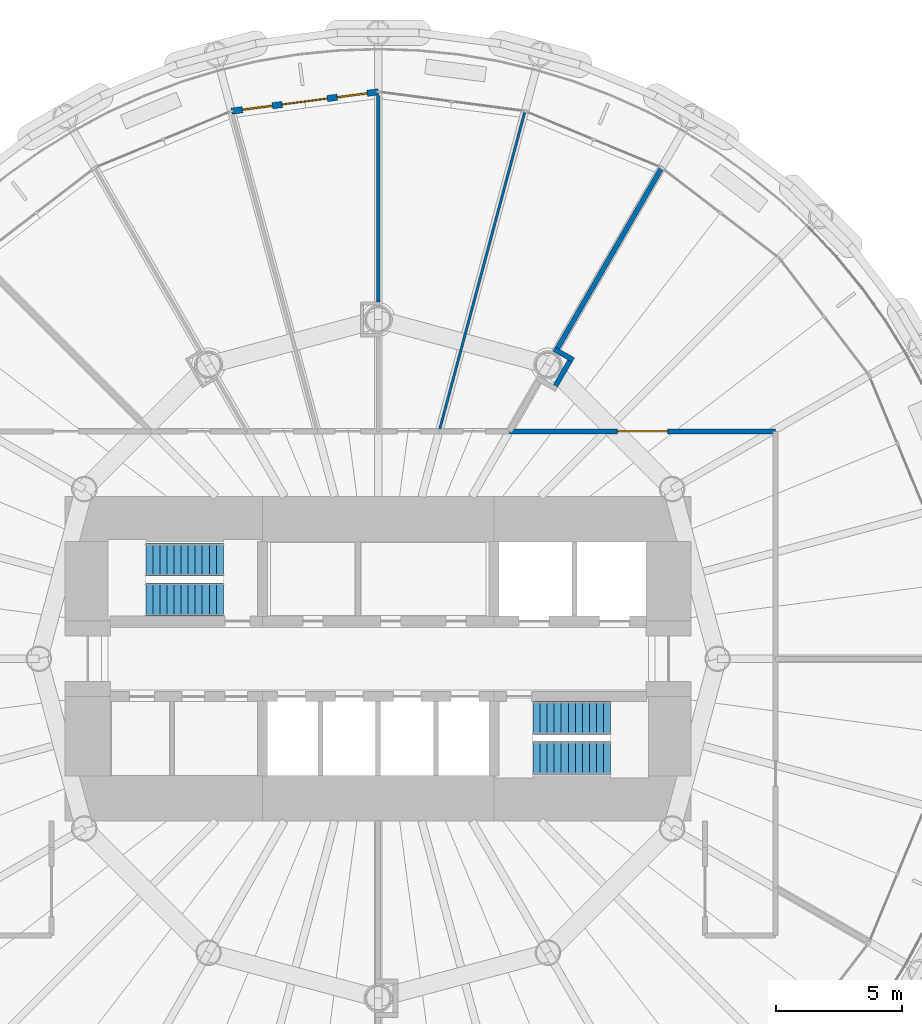
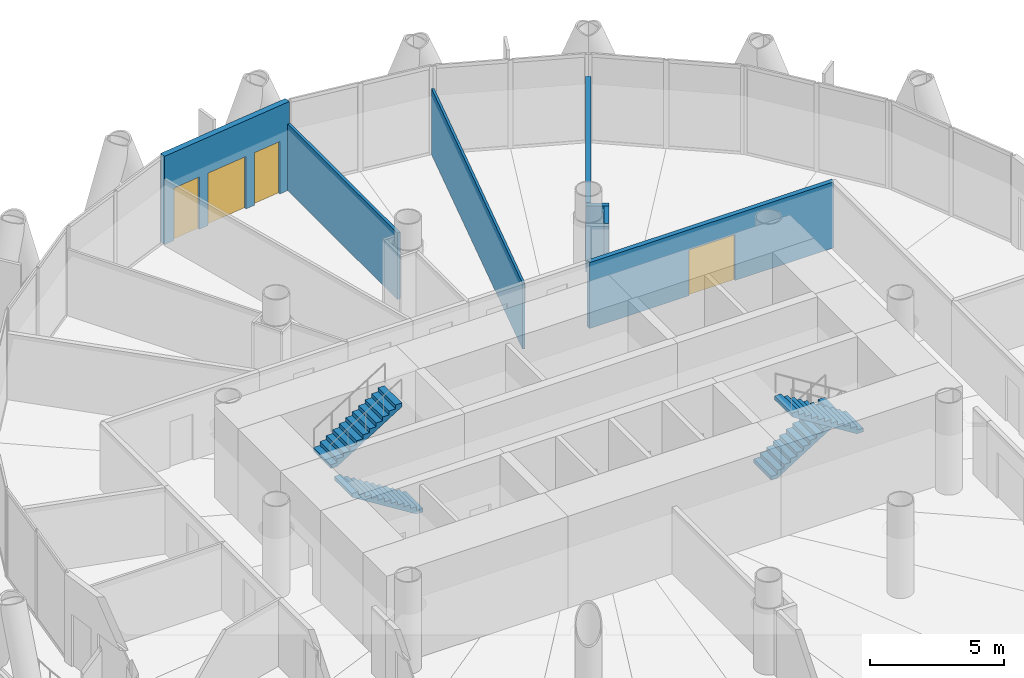
# One storey, part 12 of 16: 7 walls, 4 stair flights, 2 doors, 2 windows, 4 openings, 2 elements without a shape of their own.
"""IFC4 building model written with IfcOpenShell, lengths in metres."""

from ifc_helpers import new_model, si_unit, direction, frame, frame_2d, origin, place, context, subcontext, project, spatial, polyline, rectangle, outline, extrude, material, layer, layer_set, type_object, element, fill, aggregate, save


model = new_model("IFC4")

# Units and contexts
model_context = context("Model", 3, precision=1e-05, world=origin(), true_north=direction((0.0, 1.0)))
body_context = subcontext(model_context, "Body", "Model", "MODEL_VIEW")
ifc_project = project(units=[si_unit("LENGTHUNIT", "METRE"), si_unit("AREAUNIT", "SQUARE_METRE"), si_unit("VOLUMEUNIT", "CUBIC_METRE"), si_unit("PLANEANGLEUNIT", "RADIAN"), si_unit("MASSUNIT", "GRAM", prefix="KILO")], contexts=[model_context])

# Site, building, storey
site_placement = place(None, origin())
site = spatial("IfcSite", under=ifc_project, at=site_placement, CompositionType="ELEMENT")
building_placement = place(site_placement, origin())
building = spatial("IfcBuilding", under=site, at=building_placement, Name="Qaws Media Tower", CompositionType="ELEMENT")
storey_placement = place(building_placement, frame((0.0, 0.0, 139.39990234375)))
storey = spatial("IfcBuildingStorey", under=building, at=storey_placement, Name="L31", CompositionType="ELEMENT", Elevation=139.39990234375)

# Wall, openings, door, windows
ifc_material_1 = material(Name="Precast concrete, exposed finish", Category="concrete")
ifc_layer_1 = layer(ifc_material_1, 0.25)
ifc_layer_set_1 = layer_set([ifc_layer_1], Name="Balcony door wall 250")
wall_type_1 = type_object("IfcWallType", Name="Balcony door wall 250", PredefinedType="SOLIDWALL", material=ifc_layer_set_1)
wall_1_placement = place(storey_placement, frame((60.0, 72.550048828125, 0.0), z_axis=(0.0, 0.0, 1.0), x_axis=(-0.991446388783, -0.130514589873, 0.0)))
wall_1 = element("IfcWall", 1, at=wall_1_placement, inside=storey, type_object=wall_type_1, Name="W192 EW1 balcony door wall L31-07", PredefinedType="SOLIDWALL", context=body_context, shape_type="SweptSolid", body=[
    extrude(rectangle(XDim=5.88671875, YDim=0.25, at=frame_2d((2.943359375, 0.0))), origin(), (0.0, 0.0, 1.0), 4.0400390625),
])
opening_1_placement = place(wall_1_placement, frame((2.04345703125, 0.0, 0.0)))
opening_1 = element("IfcOpeningElement", 2, at=opening_1_placement, cuts=wall_1, Name="Opening D7", PredefinedType="OPENING", context=body_context, shape_type="SweptSolid", body=[
    extrude(rectangle(XDim=1.800048828125, YDim=2.39990234375, at=frame_2d((0.89990234375, 1.199951171875))), frame((0.0, 0.135009765625, 0.0), z_axis=(0.0, -1.0, 0.0), x_axis=(1.0, 0.0, 0.0)), (0.0, 0.0, 1.0), 0.27001953125),
])
opening_2_placement = place(wall_1_placement, frame((0.443359375, 0.0, 0.0)))
opening_2 = element("IfcOpeningElement", 3, at=opening_2_placement, cuts=wall_1, Name="Opening W1", PredefinedType="OPENING", context=body_context, shape_type="SweptSolid", body=[
    extrude(rectangle(XDim=1.199951171875, YDim=2.39990234375, at=frame_2d((0.60009765625, 1.199951171875))), frame((0.0, 0.135009765625, 0.0), z_axis=(0.0, -1.0, 0.0), x_axis=(1.0, 0.0, 0.0)), (0.0, 0.0, 1.0), 0.27001953125),
])
opening_3_placement = place(wall_1_placement, frame((4.243408203125, 0.0, 0.0)))
opening_3 = element("IfcOpeningElement", 4, at=opening_3_placement, cuts=wall_1, Name="Opening W1", PredefinedType="OPENING", context=body_context, shape_type="SweptSolid", body=[
    extrude(rectangle(XDim=1.199951171875, YDim=2.39990234375, at=frame_2d((0.60009765625, 1.199951171875))), frame((0.0, 0.135009765625, 0.0), z_axis=(0.0, -1.0, 0.0), x_axis=(1.0, 0.0, 0.0)), (0.0, 0.0, 1.0), 0.27001953125),
])
ifc_material_2 = material(Name="Aluminium and clear glass", Category="aluminium")
door_type_1 = type_object("IfcDoorType", Name="Balcony door pair 1800", OperationType="DOUBLE_DOOR_SLIDING", PredefinedType="DOOR", material=ifc_material_2)
door_1_placement = place(opening_1_placement, origin())
door_1 = element("IfcDoor", 5, at=door_1_placement, inside=storey, type_object=door_type_1, Name="D7 balcony door L31-07 in wall W192", OperationType="DOUBLE_DOOR_SLIDING", OverallHeight=2.39990234375, OverallWidth=1.800048828125, PredefinedType="DOOR", context=body_context, shape_type="SweptSolid", body=[
    extrude(rectangle(XDim=1.800048828125, YDim=2.39990234375, at=frame_2d((0.89990234375, 1.199951171875))), frame((0.0, 0.02490234375, 0.0), z_axis=(0.0, -1.0, 0.0), x_axis=(1.0, 0.0, 0.0)), (0.0, 0.0, 1.0), 0.050048828125),
])
fill(opening_1, door_1)
ifc_material_3 = material(Name="Aluminium and clear glass", Category="aluminium")
window_type = type_object("IfcWindowType", Name="Balcony side window 1200", PartitioningType="SINGLE_PANEL", PredefinedType="WINDOW", material=ifc_material_3)
window_1_placement = place(opening_2_placement, origin())
window_1 = element("IfcWindow", 6, at=window_1_placement, inside=storey, type_object=window_type, Name="W1 balcony side light L31-07L", OverallHeight=2.39990234375, OverallWidth=1.199951171875, PartitioningType="SINGLE_PANEL", PredefinedType="WINDOW", context=body_context, shape_type="SweptSolid", body=[
    extrude(rectangle(XDim=1.199951171875, YDim=2.39990234375, at=frame_2d((0.60009765625, 1.199951171875))), frame((0.0, 0.030029296875, 0.0), z_axis=(0.0, -1.0, 0.0), x_axis=(1.0, 0.0, 0.0)), (0.0, 0.0, 1.0), 0.06005859375),
])
fill(opening_2, window_1)
window_2_placement = place(opening_3_placement, origin())
window_2 = element("IfcWindow", 7, at=window_2_placement, inside=storey, type_object=window_type, Name="W1 balcony side light L31-07R", OverallHeight=2.39990234375, OverallWidth=1.199951171875, PartitioningType="SINGLE_PANEL", PredefinedType="WINDOW", context=body_context, shape_type="SweptSolid", body=[
    extrude(rectangle(XDim=1.199951171875, YDim=2.39990234375, at=frame_2d((0.60009765625, 1.199951171875))), frame((0.0, 0.030029296875, 0.0), z_axis=(0.0, -1.0, 0.0), x_axis=(1.0, 0.0, 0.0)), (0.0, 0.0, 1.0), 0.06005859375),
])
fill(opening_3, window_2)

# Walls
ifc_material_4 = material(Name="Two layers gypsum board each side on 75 studs, insulated", Category="gypsum")
ifc_layer_2 = layer(ifc_material_4, 0.125)
ifc_layer_set_2 = layer_set([ifc_layer_2], Name="Meeting room partition 125 Rw 48")
wall_type_2 = type_object("IfcWallType", Name="Meeting room partition 125 Rw 48", PredefinedType="PARTITIONING", material=ifc_layer_set_2)
wall_2_placement = place(storey_placement, frame((60.0, 64.193115234375, 0.0), z_axis=(0.0, 0.0, 1.0), x_axis=(0.0, 1.0, 0.0)))
element("IfcWall", 8, at=wall_2_placement, inside=storey, type_object=wall_type_2, Name="W557 IW5 partition L31", PredefinedType="PARTITIONING", context=body_context, shape_type="SweptSolid", body=[
    extrude(rectangle(XDim=8.216796875, YDim=0.125, at=frame_2d((4.1083984375, 0.0))), origin(), (0.0, 0.0, 1.0), 3.0400390625),
])
ifc_material_5 = material(Name="Gypsum board on 70 metal studs, single layer each side", Category="gypsum")
ifc_layer_3 = layer(ifc_material_5, 0.10009765625)
ifc_layer_set_3 = layer_set([ifc_layer_3], Name="Office stud partition 100")
wall_type_3 = type_object("IfcWallType", Name="Office stud partition 100", PredefinedType="PARTITIONING", material=ifc_layer_set_3)
wall_3_placement = place(storey_placement, frame((62.422607421875, 59.041015625, 0.0), z_axis=(0.0, 0.0, 1.0), x_axis=(0.258808779335, 0.965928576935, 0.0)))
element("IfcWall", 9, at=wall_3_placement, inside=storey, type_object=wall_type_3, Name="W679 IW4 partition L31", PredefinedType="PARTITIONING", context=body_context, shape_type="SweptSolid", body=[
    extrude(rectangle(XDim=13.14990234375, YDim=0.10009765625, at=frame_2d((6.574951171875, 0.0))), origin(), (0.0, 0.0, 1.0), 3.02001953125),
])

# Wall, opening, door
ifc_material_6 = material(Name="Gypsum board on galvanised metal studs, acoustic double stud, deflection head", Category="gypsum")
ifc_layer_4 = layer(ifc_material_6, 0.199951171875)
ifc_layer_set_4 = layer_set([ifc_layer_4], Name="Room partition 200")
wall_type_4 = type_object("IfcWallType", Name="Room partition 200", PredefinedType="PARTITIONING", material=ifc_layer_set_4)
wall_4_placement = place(storey_placement, frame((65.22509765625, 59.050048828125, 0.0), z_axis=(0.0, 0.0, 1.0), x_axis=(1.0, 0.0, 0.0)))
wall_4 = element("IfcWall", 10, at=wall_4_placement, inside=storey, type_object=wall_type_4, Name="W1293 IW3 partition L31", PredefinedType="PARTITIONING", context=body_context, shape_type="SweptSolid", body=[
    extrude(rectangle(XDim=10.574951171875, YDim=0.199951171875, at=frame_2d((5.28759765625, 0.0))), origin(), (0.0, 0.0, 1.0), 3.02001953125),
])
opening_4_placement = place(wall_4_placement, frame((4.28759765625, 0.0, 0.0)))
opening_4 = element("IfcOpeningElement", 11, at=opening_4_placement, cuts=wall_4, Name="Opening D6", PredefinedType="OPENING", context=body_context, shape_type="SweptSolid", body=[
    extrude(rectangle(XDim=2.0, YDim=2.10009765625, at=frame_2d((1.0, 1.050048828125))), frame((0.0, 0.10986328125, 0.0), z_axis=(0.0, -1.0, 0.0), x_axis=(1.0, 0.0, 0.0)), (0.0, 0.0, 1.0), 0.219970703125),
])
ifc_material_7 = material(Name="Steel, acoustic, fire rated", Category="steel")
door_type_2 = type_object("IfcDoorType", Name="Room door pair 2000", OperationType="DOUBLE_DOOR_DOUBLE_SWING", PredefinedType="DOOR", material=ifc_material_7)
door_2_placement = place(opening_4_placement, origin())
door_2 = element("IfcDoor", 12, at=door_2_placement, inside=storey, type_object=door_type_2, Name="D6 Paralegal office door L31 in wall W1293", OperationType="DOUBLE_DOOR_DOUBLE_SWING", OverallHeight=2.10009765625, OverallWidth=2.0, PredefinedType="DOOR", context=body_context, shape_type="SweptSolid", body=[
    extrude(rectangle(XDim=2.0, YDim=2.10009765625, at=frame_2d((1.0, 1.050048828125))), frame((0.0, 0.02490234375, 0.0), z_axis=(0.0, -1.0, 0.0), x_axis=(1.0, 0.0, 0.0)), (0.0, 0.0, 1.0), 0.050048828125),
])
fill(opening_4, door_2)

# Walls
wall_5_placement = place(storey_placement, frame((66.997314453125, 62.31982421875, 0.0), z_axis=(0.0, 0.0, 1.0), x_axis=(0.86607910459, -0.49990697594, 0.0)))
element("IfcWall", 13, at=wall_5_placement, inside=storey, type_object=wall_type_4, Name="W1295 IW3 partition return L31", PredefinedType="PARTITIONING", context=body_context, shape_type="SweptSolid", body=[
    extrude(rectangle(XDim=0.878173828125, YDim=0.199951171875, at=frame_2d((0.43896484375, 0.0))), origin(), (0.0, 0.0, 1.0), 3.02001953125),
])
wall_6_placement = place(storey_placement, frame((67.05322265625, 60.8603515625, 0.0), z_axis=(0.0, 0.0, 1.0), x_axis=(0.499883687939, 0.866092546171, 0.0)))
element("IfcWall", 14, at=wall_6_placement, inside=storey, type_object=wall_type_4, Name="W1296 IW3 partition return L31", PredefinedType="PARTITIONING", context=body_context, shape_type="SweptSolid", body=[
    extrude(rectangle(XDim=1.135986328125, YDim=0.199951171875, at=frame_2d((0.56787109375, 0.0))), origin(), (0.0, 0.0, 1.0), 3.02001953125),
])
wall_7_placement = place(storey_placement, frame((67.134033203125, 62.3564453125, 0.0), z_axis=(0.0, 0.0, 1.0), x_axis=(0.499990836312, 0.866030694378, 0.0)))
element("IfcWall", 15, at=wall_7_placement, inside=storey, type_object=wall_type_4, Name="W1304 IW3 partition L31", PredefinedType="PARTITIONING", context=body_context, shape_type="SweptSolid", body=[
    extrude(rectangle(XDim=8.241943359375, YDim=0.199951171875, at=frame_2d((4.12109375, 0.0))), origin(), (0.0, 0.0, 1.0), 3.0400390625),
])

# Stair, stair flights
ifc_material_8 = material(Name="Concrete C40/50", Category="concrete")
stair_type = type_object("IfcStairType", Name="Exit stair", PredefinedType="HALF_TURN_STAIR", material=ifc_material_8)
stair_1_placement = place(storey_placement, origin())
stair_1 = element("IfcStair", 16, at=stair_1_placement, inside=storey, type_object=stair_type, Name="S1 exit stair L31", PredefinedType="HALF_TURN_STAIR")
ifc_material_9 = material(Name="Concrete C40/50", Category="concrete")
stair_flight_type = type_object("IfcStairFlightType", Name="Stair flight 1310", PredefinedType="STRAIGHT", material=ifc_material_9)
stair_flight_1_placement = place(storey_placement, frame((53.840087890625, 52.35498046875, 0.0), z_axis=(0.0, 0.0, 1.0), x_axis=(-1.0, 0.0, 0.0)))
stair_flight_1 = element("IfcStairFlight", 17, at=stair_flight_1_placement, type_object=stair_flight_type, Name="S1 flight 1", NumberOfRisers=12, NumberOfTreads=11, PredefinedType="STRAIGHT", RiserHeight=0.175, TreadLength=0.28, context=body_context, shape_type="SweptSolid", body=[
    extrude(outline(polyline([(0.0, 0.0), (0.0, 0.175048828125), (0.280029296875, 0.175048828125), (0.280029296875, 0.35009765625), (0.56005859375, 0.35009765625), (0.56005859375, 0.52490234375), (0.840087890625, 0.52490234375), (0.840087890625, 0.699951171875), (1.1201171875, 0.699951171875), (1.1201171875, 0.875), (1.39990234375, 0.875), (1.39990234375, 1.050048828125), (1.679931640625, 1.050048828125), (1.679931640625, 1.22509765625), (1.9599609375, 1.22509765625), (1.9599609375, 1.39990234375), (2.239990234375, 1.39990234375), (2.239990234375, 1.574951171875), (2.52001953125, 1.574951171875), (2.52001953125, 1.75), (2.800048828125, 1.75), (2.800048828125, 1.925048828125), (3.080078125, 1.925048828125), (3.080078125, 2.10009765625), (3.080078125, 1.748291015625), (0.28271484375, 0.0), (0.0, 0.0)])), frame((0.0, 0.655029296875, 0.0), z_axis=(0.0, -1.0, 0.0), x_axis=(1.0, 0.0, 0.0)), (0.0, 0.0, 1.0), 1.31005859375),
])
stair_flight_2_placement = place(storey_placement, frame((50.760009765625, 53.945068359375, 2.10009765625), z_axis=(0.0, 0.0, 1.0), x_axis=(1.0, 0.0, 0.0)))
stair_flight_2 = element("IfcStairFlight", 18, at=stair_flight_2_placement, type_object=stair_flight_type, Name="S1 flight 2", NumberOfRisers=12, NumberOfTreads=11, PredefinedType="STRAIGHT", RiserHeight=0.175, TreadLength=0.28, context=body_context, shape_type="SweptSolid", body=[
    extrude(outline(polyline([(0.0, 0.0), (0.0, 0.175048828125), (0.280029296875, 0.175048828125), (0.280029296875, 0.35009765625), (0.56005859375, 0.35009765625), (0.56005859375, 0.52490234375), (0.840087890625, 0.52490234375), (0.840087890625, 0.699951171875), (1.1201171875, 0.699951171875), (1.1201171875, 0.875), (1.39990234375, 0.875), (1.39990234375, 1.050048828125), (1.679931640625, 1.050048828125), (1.679931640625, 1.22509765625), (1.9599609375, 1.22509765625), (1.9599609375, 1.39990234375), (2.239990234375, 1.39990234375), (2.239990234375, 1.574951171875), (2.52001953125, 1.574951171875), (2.52001953125, 1.75), (2.800048828125, 1.75), (2.800048828125, 1.925048828125), (3.080078125, 1.925048828125), (3.080078125, 2.10009765625), (3.080078125, 1.748291015625), (0.28271484375, 0.0), (0.0, 0.0)])), frame((0.0, 0.655029296875, 0.0), z_axis=(0.0, -1.0, 0.0), x_axis=(1.0, 0.0, 0.0)), (0.0, 0.0, 1.0), 1.31005859375),
])
aggregate(stair_1, [stair_flight_1, stair_flight_2])

stair_2_placement = place(storey_placement, origin())
stair_2 = element("IfcStair", 19, at=stair_2_placement, inside=storey, type_object=stair_type, Name="S2 exit stair L31", PredefinedType="HALF_TURN_STAIR")
stair_flight_3_placement = place(storey_placement, frame((66.159912109375, 47.64501953125, 0.0), z_axis=(0.0, 0.0, 1.0), x_axis=(1.0, 0.0, 0.0)))
stair_flight_3 = element("IfcStairFlight", 20, at=stair_flight_3_placement, type_object=stair_flight_type, Name="S2 flight 1", NumberOfRisers=12, NumberOfTreads=11, PredefinedType="STRAIGHT", RiserHeight=0.175, TreadLength=0.28, context=body_context, shape_type="SweptSolid", body=[
    extrude(outline(polyline([(0.0, 0.0), (0.0, 0.175048828125), (0.280029296875, 0.175048828125), (0.280029296875, 0.35009765625), (0.56005859375, 0.35009765625), (0.56005859375, 0.52490234375), (0.840087890625, 0.52490234375), (0.840087890625, 0.699951171875), (1.1201171875, 0.699951171875), (1.1201171875, 0.875), (1.39990234375, 0.875), (1.39990234375, 1.050048828125), (1.679931640625, 1.050048828125), (1.679931640625, 1.22509765625), (1.9599609375, 1.22509765625), (1.9599609375, 1.39990234375), (2.239990234375, 1.39990234375), (2.239990234375, 1.574951171875), (2.52001953125, 1.574951171875), (2.52001953125, 1.75), (2.800048828125, 1.75), (2.800048828125, 1.925048828125), (3.080078125, 1.925048828125), (3.080078125, 2.10009765625), (3.080078125, 1.748291015625), (0.28271484375, 0.0), (0.0, 0.0)])), frame((0.0, 0.655029296875, 0.0), z_axis=(0.0, -1.0, 0.0), x_axis=(1.0, 0.0, 0.0)), (0.0, 0.0, 1.0), 1.31005859375),
])
stair_flight_4_placement = place(storey_placement, frame((69.239990234375, 46.054931640625, 2.10009765625), z_axis=(0.0, 0.0, 1.0), x_axis=(-1.0, 0.0, 0.0)))
stair_flight_4 = element("IfcStairFlight", 21, at=stair_flight_4_placement, type_object=stair_flight_type, Name="S2 flight 2", NumberOfRisers=12, NumberOfTreads=11, PredefinedType="STRAIGHT", RiserHeight=0.175, TreadLength=0.28, context=body_context, shape_type="SweptSolid", body=[
    extrude(outline(polyline([(0.0, 0.0), (0.0, 0.175048828125), (0.280029296875, 0.175048828125), (0.280029296875, 0.35009765625), (0.56005859375, 0.35009765625), (0.56005859375, 0.52490234375), (0.840087890625, 0.52490234375), (0.840087890625, 0.699951171875), (1.1201171875, 0.699951171875), (1.1201171875, 0.875), (1.39990234375, 0.875), (1.39990234375, 1.050048828125), (1.679931640625, 1.050048828125), (1.679931640625, 1.22509765625), (1.9599609375, 1.22509765625), (1.9599609375, 1.39990234375), (2.239990234375, 1.39990234375), (2.239990234375, 1.574951171875), (2.52001953125, 1.574951171875), (2.52001953125, 1.75), (2.800048828125, 1.75), (2.800048828125, 1.925048828125), (3.080078125, 1.925048828125), (3.080078125, 2.10009765625), (3.080078125, 1.748291015625), (0.28271484375, 0.0), (0.0, 0.0)])), frame((0.0, 0.655029296875, 0.0), z_axis=(0.0, -1.0, 0.0), x_axis=(1.0, 0.0, 0.0)), (0.0, 0.0, 1.0), 1.31005859375),
])
aggregate(stair_2, [stair_flight_3, stair_flight_4])

save(model, "model.ifc")
